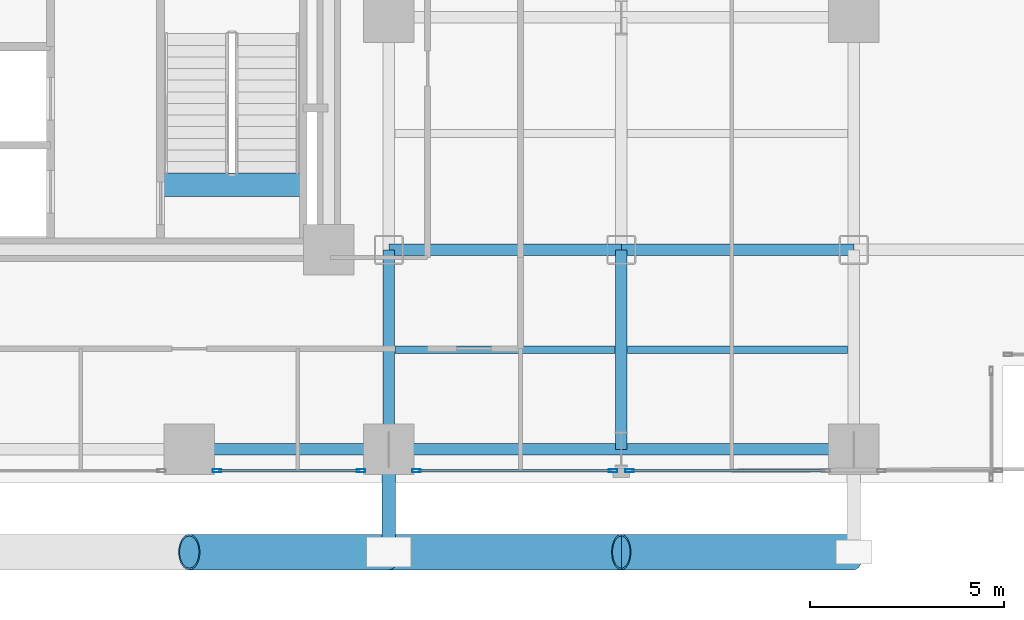
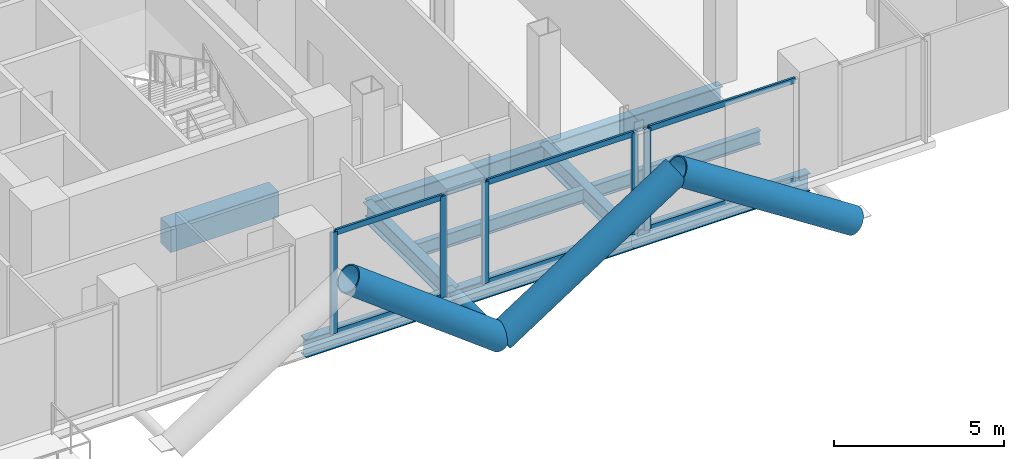
# One storey, part 8 of 25: 15 members, 10 beams, 3 elements without a shape of their own.
"""IFC4 building model written with IfcOpenShell, lengths in metres."""

from ifc_helpers import new_model, si_unit, direction, frame, origin, origin_2d, place, context, subcontext, project, spatial, rectangle, hollow_rectangle, hollow_circle, i_section, extrude, material, layer, layer_set, material_profile, profile_set, type_object, element, aggregate, save


model = new_model("IFC4")

# Units and contexts
model_context = context("Model", 3, precision=1e-05, world=origin(), true_north=direction((0.0, 1.0)))
body_context = subcontext(model_context, "Body", "Model", "MODEL_VIEW")
ifc_project = project(units=[si_unit("LENGTHUNIT", "METRE"), si_unit("AREAUNIT", "SQUARE_METRE"), si_unit("VOLUMEUNIT", "CUBIC_METRE"), si_unit("PLANEANGLEUNIT", "RADIAN"), si_unit("MASSUNIT", "GRAM", prefix="KILO"), si_unit("THERMODYNAMICTEMPERATUREUNIT", "KELVIN"), si_unit("POWERUNIT", "WATT")], contexts=[model_context])

# Site, building, storey
site_placement = place(None, origin())
site = spatial("IfcSite", under=ifc_project, at=site_placement, CompositionType="ELEMENT")
building_placement = place(site_placement, origin())
building = spatial("IfcBuilding", under=site, at=building_placement, Name="Svarakhadi Broadcast Tower", CompositionType="ELEMENT")
storey_placement = place(building_placement, frame((0.0, 0.0, 36.300048828125)))
storey = spatial("IfcBuildingStorey", under=building, at=storey_placement, Name="L07", CompositionType="ELEMENT", Elevation=36.300048828125)

# Beams
ifc_material_1 = material(Name="Steel S355J2 (IS 2062 E350C)", Category="steel")
ifc_material_profile_1 = material_profile(ifc_material_1, i_section(OverallWidth=0.199951171875, OverallDepth=0.5, WebThickness=0.01025390625, FlangeThickness=0.01611328125, FilletRadius=0.02099609375, at=origin_2d()), Name="NPB 500x200x91")
ifc_profile_set_1 = profile_set([ifc_material_profile_1], Name="Steel S355J2 (IS 2062 E350C)")
beam_type_1 = type_object("IfcBeamType", Name="Beam_NPB500", PredefinedType="BEAM", material=ifc_profile_set_1)
for number, where, z_axis, x_axis, name in (
    (1, (35.31005859375, 3.425048828125, -0.5), (1.0, 0.0, 0.0), (0.0, 1.0, 0.0), "L07 Secondary Composite Beam SB022"),
    (2, (41.31005859375, 3.425048828125, -0.5), (1.0, 0.0, 0.0), (0.0, 1.0, 0.0), "L07 Secondary Composite Beam SB025"),
):
    element("IfcBeam", number, at=place(storey_placement, frame(where, z_axis=z_axis, x_axis=x_axis)), inside=storey, type_object=beam_type_1, Name=name, PredefinedType="BEAM", context=body_context, shape_type="SweptSolid", body=[
        extrude(i_section(OverallWidth=0.199951171875, OverallDepth=0.5, WebThickness=0.01025390625, FlangeThickness=0.01611328125, FilletRadius=0.02099609375, at=origin_2d()), origin(), (0.0, 0.0, 1.0), 5.679931640625),
    ])

# Curtain wall, member
ifc_material_2 = material(Name="Anodised Bronze Aluminium AA 6063-T6", Category="aluminium")
ifc_layer = layer(ifc_material_2, 0.219970703125)
ifc_layer_set = layer_set([ifc_layer], Name="Anodised Bronze Aluminium AA 6063-T6")
curtain_wall_type = type_object("IfcCurtainWallType", Name="CW_Sys_02", PredefinedType="NOTDEFINED", material=ifc_layer_set)
curtain_wall_1_placement = place(storey_placement, origin())
curtain_wall_1 = element("IfcCurtainWall", 3, at=curtain_wall_1_placement, inside=storey, type_object=curtain_wall_type, Name="L07 South Curtain Wall 16 Bay 2", PredefinedType="NOTDEFINED")
ifc_material_profile_2 = material_profile(ifc_material_2, hollow_rectangle(XDim=0.0849609375, YDim=0.219970703125, WallThickness=0.006103515625, at=origin_2d()), Name="ALU MULLION 220x85x6")
ifc_profile_set_2 = profile_set([ifc_material_profile_2], Name="Anodised Bronze Aluminium AA 6063-T6")
member_type_1 = type_object("IfcMemberType", Name="CW_Sys_02_Mul", PredefinedType="MULLION", material=ifc_profile_set_2)
member_1_placement = place(storey_placement, frame((41.362548828125, 0.300048828125, 0.0), z_axis=(0.0, 0.0, 1.0), x_axis=(0.0, -1.0, 0.0)))
member_1 = element("IfcMember", 4, at=member_1_placement, type_object=member_type_1, Name="CW-02 mullion 2", PredefinedType="MULLION", context=body_context, shape_type="SweptSolid", body=[
    extrude(hollow_rectangle(XDim=0.0849609375, YDim=0.219970703125, WallThickness=0.006103515625, at=origin_2d()), origin(), (0.0, 0.0, 1.0), 3.64990234375),
])

# Curtain wall, members
curtain_wall_2_placement = place(storey_placement, origin())
curtain_wall_2 = element("IfcCurtainWall", 5, at=curtain_wall_2_placement, inside=storey, type_object=curtain_wall_type, Name="L07 South Curtain Wall 16 Bay 3", PredefinedType="NOTDEFINED")
member_2_placement = place(storey_placement, frame((40.9375, 0.300048828125, 0.0), z_axis=(0.0, 0.0, 1.0), x_axis=(0.0, -1.0, 0.0)))
member_2 = element("IfcMember", 6, at=member_2_placement, type_object=member_type_1, Name="CW-02 mullion 1", PredefinedType="MULLION", context=body_context, shape_type="SweptSolid", body=[
    extrude(hollow_rectangle(XDim=0.0849609375, YDim=0.219970703125, WallThickness=0.006103515625, at=origin_2d()), origin(), (0.0, 0.0, 1.0), 3.64990234375),
])
member_3_placement = place(storey_placement, frame((35.862548828125, 0.300048828125, 0.0), z_axis=(0.0, 0.0, 1.0), x_axis=(0.0, -1.0, 0.0)))
member_3 = element("IfcMember", 7, at=member_3_placement, type_object=member_type_1, Name="CW-02 mullion 2", PredefinedType="MULLION", context=body_context, shape_type="SweptSolid", body=[
    extrude(hollow_rectangle(XDim=0.0849609375, YDim=0.219970703125, WallThickness=0.006103515625, at=origin_2d()), origin(), (0.0, 0.0, 1.0), 3.64990234375),
])

curtain_wall_3_placement = place(storey_placement, origin())
curtain_wall_3 = element("IfcCurtainWall", 8, at=curtain_wall_3_placement, inside=storey, type_object=curtain_wall_type, Name="L07 South Curtain Wall 16 Bay 4", PredefinedType="NOTDEFINED")
member_4_placement = place(storey_placement, frame((34.4375, 0.300048828125, 0.0), z_axis=(0.0, 0.0, 1.0), x_axis=(0.0, -1.0, 0.0)))
member_4 = element("IfcMember", 9, at=member_4_placement, type_object=member_type_1, Name="CW-02 mullion 1", PredefinedType="MULLION", context=body_context, shape_type="SweptSolid", body=[
    extrude(hollow_rectangle(XDim=0.0849609375, YDim=0.219970703125, WallThickness=0.006103515625, at=origin_2d()), origin(), (0.0, 0.0, 1.0), 3.64990234375),
])
member_5_placement = place(storey_placement, frame((30.71240234375, 0.300048828125, 0.0), z_axis=(0.0, 0.0, 1.0), x_axis=(0.0, -1.0, 0.0)))
member_5 = element("IfcMember", 10, at=member_5_placement, type_object=member_type_1, Name="CW-02 mullion 2", PredefinedType="MULLION", context=body_context, shape_type="SweptSolid", body=[
    extrude(hollow_rectangle(XDim=0.0849609375, YDim=0.219970703125, WallThickness=0.006103515625, at=origin_2d()), origin(), (0.0, 0.0, 1.0), 3.64990234375),
])

# Member
ifc_material_profile_3 = material_profile(ifc_material_2, hollow_rectangle(XDim=0.074951171875, YDim=0.199951171875, WallThickness=0.0048828125, at=origin_2d()), Name="ALU TRANSOM 200x75x5")
ifc_profile_set_3 = profile_set([ifc_material_profile_3], Name="Anodised Bronze Aluminium AA 6063-T6")
member_type_2 = type_object("IfcMemberType", Name="CW_Sys_02_Trn", PredefinedType="USERDEFINED", material=ifc_profile_set_3)
member_6_placement = place(storey_placement, frame((46.39501953125, 0.300048828125, 0.037353515625), z_axis=(-1.0, 0.0, 0.0), x_axis=(0.0, -1.0, 0.0)))
member_6 = element("IfcMember", 11, at=member_6_placement, type_object=member_type_2, Name="CW-02 transom 1.1", ObjectType="TRANSOM", PredefinedType="USERDEFINED", context=body_context, shape_type="SweptSolid", body=[
    extrude(hollow_rectangle(XDim=0.074951171875, YDim=0.199951171875, WallThickness=0.0048828125, at=origin_2d()), origin(), (0.0, 0.0, 1.0), 4.989990234375),
])

member_7_placement = place(storey_placement, frame((46.39501953125, 0.300048828125, 3.612548828125), z_axis=(-1.0, 0.0, 0.0), x_axis=(0.0, -1.0, 0.0)))
member_7 = element("IfcMember", 12, at=member_7_placement, type_object=member_type_2, Name="CW-02 transom 1.2", ObjectType="TRANSOM", PredefinedType="USERDEFINED", context=body_context, shape_type="SweptSolid", body=[
    extrude(hollow_rectangle(XDim=0.074951171875, YDim=0.199951171875, WallThickness=0.0048828125, at=origin_2d()), origin(), (0.0, 0.0, 1.0), 4.989990234375),
])

aggregate(curtain_wall_1, [member_1, member_6, member_7])

member_8_placement = place(storey_placement, frame((40.89501953125, 0.300048828125, 0.037353515625), z_axis=(-1.0, 0.0, 0.0), x_axis=(0.0, -1.0, 0.0)))
member_8 = element("IfcMember", 13, at=member_8_placement, type_object=member_type_2, Name="CW-02 transom 1.1", ObjectType="TRANSOM", PredefinedType="USERDEFINED", context=body_context, shape_type="SweptSolid", body=[
    extrude(hollow_rectangle(XDim=0.074951171875, YDim=0.199951171875, WallThickness=0.0048828125, at=origin_2d()), origin(), (0.0, 0.0, 1.0), 4.989990234375),
])

member_9_placement = place(storey_placement, frame((40.89501953125, 0.300048828125, 3.612548828125), z_axis=(-1.0, 0.0, 0.0), x_axis=(0.0, -1.0, 0.0)))
member_9 = element("IfcMember", 14, at=member_9_placement, type_object=member_type_2, Name="CW-02 transom 1.2", ObjectType="TRANSOM", PredefinedType="USERDEFINED", context=body_context, shape_type="SweptSolid", body=[
    extrude(hollow_rectangle(XDim=0.074951171875, YDim=0.199951171875, WallThickness=0.0048828125, at=origin_2d()), origin(), (0.0, 0.0, 1.0), 4.989990234375),
])

aggregate(curtain_wall_2, [member_2, member_3, member_8, member_9])

member_10_placement = place(storey_placement, frame((34.39501953125, 0.300048828125, 0.037353515625), z_axis=(-1.0, 0.0, 0.0), x_axis=(0.0, -1.0, 0.0)))
member_10 = element("IfcMember", 15, at=member_10_placement, type_object=member_type_2, Name="CW-02 transom 1.1", ObjectType="TRANSOM", PredefinedType="USERDEFINED", context=body_context, shape_type="SweptSolid", body=[
    extrude(hollow_rectangle(XDim=0.074951171875, YDim=0.199951171875, WallThickness=0.0048828125, at=origin_2d()), origin(), (0.0, 0.0, 1.0), 3.64013671875),
])

member_11_placement = place(storey_placement, frame((34.39501953125, 0.300048828125, 3.612548828125), z_axis=(-1.0, 0.0, 0.0), x_axis=(0.0, -1.0, 0.0)))
member_11 = element("IfcMember", 16, at=member_11_placement, type_object=member_type_2, Name="CW-02 transom 1.2", ObjectType="TRANSOM", PredefinedType="USERDEFINED", context=body_context, shape_type="SweptSolid", body=[
    extrude(hollow_rectangle(XDim=0.074951171875, YDim=0.199951171875, WallThickness=0.0048828125, at=origin_2d()), origin(), (0.0, 0.0, 1.0), 3.64013671875),
])

aggregate(curtain_wall_3, [member_4, member_5, member_10, member_11])

# Beam
ifc_material_3 = material(Name="Concrete C50/60 (IS 456 M60)", Category="concrete")
ifc_material_profile_4 = material_profile(ifc_material_3, rectangle(XDim=0.60009765625, YDim=0.89990234375, at=origin_2d()), Name="RC 600x900")
ifc_profile_set_4 = profile_set([ifc_material_profile_4], Name="Concrete C50/60 (IS 456 M60)")
beam_type_2 = type_object("IfcBeamType", Name="Coupling_RC600", PredefinedType="USERDEFINED", material=ifc_profile_set_4)
beam_1_placement = place(storey_placement, frame((29.260009765625, 7.679931640625, -0.449951171875), z_axis=(1.0, 0.0, 0.0), x_axis=(0.0, 1.0, 0.0)))
element("IfcBeam", 17, at=beam_1_placement, inside=storey, type_object=beam_type_2, Name="L07 Stair ST-02 Landing Throat Trimmer Beam CB-01", ObjectType="GIRDER", PredefinedType="USERDEFINED", context=body_context, shape_type="SweptSolid", body=[
    extrude(rectangle(XDim=0.60009765625, YDim=0.89990234375, at=origin_2d()), origin(), (0.0, 0.0, 1.0), 3.679931640625),
])

# Members
ifc_material_4 = material(Name="Steel S460ML (IS 2062 E450BR)", Category="steel")
ifc_material_profile_5 = material_profile(ifc_material_4, hollow_circle(Radius=0.45703125, WallThickness=0.044921875, at=origin_2d()), Name="CHS 914x45")
ifc_profile_set_5 = profile_set([ifc_material_profile_5], Name="Steel S460ML (IS 2062 E450BR)")
member_type_3 = type_object("IfcMemberType", Name="Exo_Brace_CHS914", PredefinedType="BRACE", material=ifc_profile_set_5)
member_12_placement = place(storey_placement, frame((35.14990234375, -1.800048828125, -0.427734375), z_axis=(-0.797206791841, 0.0, 0.603706328476), x_axis=(0.0, -1.0, 0.0)))
element("IfcMember", 18, at=member_12_placement, inside=storey, type_object=member_type_3, Name="L07 Exposed Bronze Exoskeleton Diagonal S02", PredefinedType="BRACE", context=body_context, shape_type="SweptSolid", body=[
    extrude(hollow_circle(Radius=0.45703125, WallThickness=0.044921875, at=origin_2d()), origin(), (0.0, 0.0, 1.0), 6.4599609375),
])
for number, where, z_axis, x_axis, name in (
    (19, (35.14990234375, -1.800048828125, -0.427734375), (0.838449851971, 0.0, 0.544978757136), (0.0, 1.0, 0.0), "L07 Exposed Bronze Exoskeleton Diagonal S03"),
    (20, (47.14990234375, -1.800048828125, -0.427734375), (-0.838449851971, 0.0, 0.544978757136), (0.0, -1.0, 0.0), "L07 Exposed Bronze Exoskeleton Diagonal S04"),
):
    element("IfcMember", number, at=place(storey_placement, frame(where, z_axis=z_axis, x_axis=x_axis)), inside=storey, type_object=member_type_3, Name=name, PredefinedType="BRACE", context=body_context, shape_type="SweptSolid", body=[
        extrude(hollow_circle(Radius=0.45703125, WallThickness=0.044921875, at=origin_2d()), origin(), (0.0, 0.0, 1.0), 7.156005859375),
    ])
ifc_material_profile_6 = material_profile(ifc_material_4, hollow_circle(Radius=0.177734375, WallThickness=0.02001953125, at=origin_2d()), Name="CHS 355.6x20")
ifc_profile_set_6 = profile_set([ifc_material_profile_6], Name="Steel S460ML (IS 2062 E450BR)")
member_type_4 = type_object("IfcMemberType", Name="Exo_Radial_Strut_Z1", PredefinedType="STRUT", material=ifc_profile_set_6)
member_13_placement = place(storey_placement, frame((35.14990234375, -1.800048828125, -0.427734375), z_axis=(0.0, 1.0, 0.0), x_axis=(-1.0, 0.0, 0.0)))
element("IfcMember", 21, at=member_13_placement, inside=storey, type_object=member_type_4, Name="L07 Exoskeleton Radial Tie Strut S02", PredefinedType="STRUT", context=body_context, shape_type="SweptSolid", body=[
    extrude(hollow_circle(Radius=0.177734375, WallThickness=0.02001953125, at=origin_2d()), origin(), (0.0, 0.0, 1.0), 2.650146484375),
])

# Beams
ifc_material_profile_7 = material_profile(ifc_material_1, i_section(OverallWidth=0.300048828125, OverallDepth=0.64990234375, WebThickness=0.01611328125, FlangeThickness=0.031005859375, FilletRadius=0.027099609375, at=origin_2d()), Name="WPB 650x300x225")
ifc_profile_set_7 = profile_set([ifc_material_profile_7], Name="Steel S355J2 (IS 2062 E350C)")
beam_type_3 = type_object("IfcBeamType", Name="Girder_WPB650", PredefinedType="USERDEFINED", material=ifc_profile_set_7)
beam_2_placement = place(storey_placement, frame((30.0, 0.85009765625, -0.574951171875), z_axis=(1.0, 0.0, 0.0), x_axis=(0.0, 1.0, 0.0)))
element("IfcBeam", 22, at=beam_2_placement, inside=storey, type_object=beam_type_3, Name="L07 Primary E-W Girder G008", ObjectType="GIRDER", PredefinedType="USERDEFINED", context=body_context, shape_type="SweptSolid", body=[
    extrude(i_section(OverallWidth=0.300048828125, OverallDepth=0.64990234375, WebThickness=0.01611328125, FlangeThickness=0.031005859375, FilletRadius=0.027099609375, at=origin_2d()), origin(), (0.0, 0.0, 1.0), 5.14990234375),
])
for number, where, z_axis, x_axis, name in (
    (23, (35.14990234375, 0.85009765625, -0.574951171875), (1.0, 0.0, 0.0), (0.0, 1.0, 0.0), "L07 Primary E-W Girder G009"),
    (24, (41.14990234375, 0.85009765625, -0.574951171875), (1.0, 0.0, 0.0), (0.0, 1.0, 0.0), "L07 Primary E-W Girder G010"),
    (25, (35.14990234375, 6.0, -0.574951171875), (1.0, 0.0, 0.0), (0.0, 1.0, 0.0), "L07 Primary E-W Girder G016"),
    (26, (41.14990234375, 6.0, -0.574951171875), (1.0, 0.0, 0.0), (0.0, 1.0, 0.0), "L07 Primary E-W Girder G017"),
):
    element("IfcBeam", number, at=place(storey_placement, frame(where, z_axis=z_axis, x_axis=x_axis)), inside=storey, type_object=beam_type_3, Name=name, ObjectType="GIRDER", PredefinedType="USERDEFINED", context=body_context, shape_type="SweptSolid", body=[
        extrude(i_section(OverallWidth=0.300048828125, OverallDepth=0.64990234375, WebThickness=0.01611328125, FlangeThickness=0.031005859375, FilletRadius=0.027099609375, at=origin_2d()), origin(), (0.0, 0.0, 1.0), 6.0),
    ])
for number, where, z_axis, x_axis, name in (
    (27, (35.14990234375, 0.85009765625, -0.574951171875), (0.0, 1.0, 0.0), (-1.0, 0.0, 0.0), "L07 Primary N-S Girder G076"),
    (28, (41.14990234375, 0.85009765625, -0.574951171875), (0.0, 1.0, 0.0), (-1.0, 0.0, 0.0), "L07 Primary N-S Girder G079"),
):
    element("IfcBeam", number, at=place(storey_placement, frame(where, z_axis=z_axis, x_axis=x_axis)), inside=storey, type_object=beam_type_3, Name=name, ObjectType="GIRDER", PredefinedType="USERDEFINED", context=body_context, shape_type="SweptSolid", body=[
        extrude(i_section(OverallWidth=0.300048828125, OverallDepth=0.64990234375, WebThickness=0.01611328125, FlangeThickness=0.031005859375, FilletRadius=0.027099609375, at=origin_2d()), origin(), (0.0, 0.0, 1.0), 5.14990234375),
    ])

save(model, "model.ifc")
